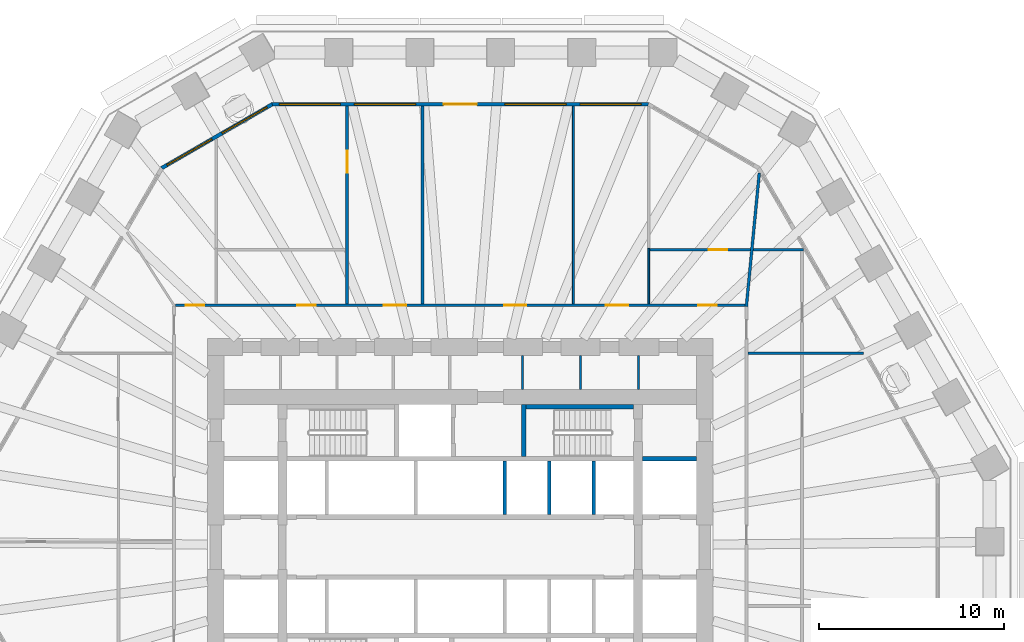
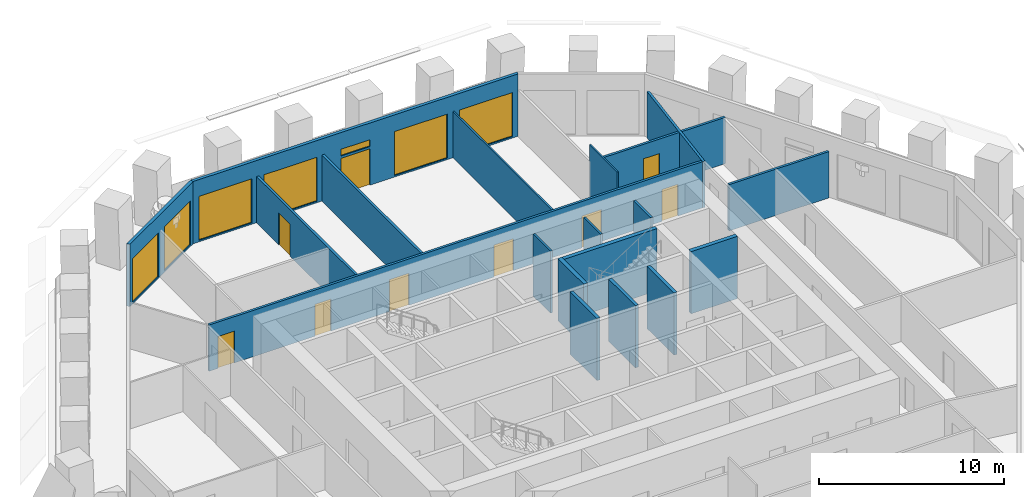
# One storey, part 8 of 13: 19 walls, 9 doors, 7 windows, 16 openings.
"""IFC4 building model written with IfcOpenShell, lengths in metres."""

from ifc_helpers import new_model, si_unit, direction, frame, frame_2d, origin, place, context, subcontext, project, spatial, polyline, rectangle, outline, extrude, material, layer, layer_set, type_object, element, fill, save


model = new_model("IFC4")

# Units and contexts
model_context = context("Model", 3, precision=1e-05, world=origin(), true_north=direction((0.0, 1.0)))
body_context = subcontext(model_context, "Body", "Model", "MODEL_VIEW")
ifc_project = project(units=[si_unit("LENGTHUNIT", "METRE"), si_unit("AREAUNIT", "SQUARE_METRE"), si_unit("VOLUMEUNIT", "CUBIC_METRE"), si_unit("PLANEANGLEUNIT", "RADIAN"), si_unit("MASSUNIT", "GRAM", prefix="KILO")], contexts=[model_context])

# Site, building, storey
site_placement = place(None, origin())
site = spatial("IfcSite", under=ifc_project, at=site_placement, CompositionType="ELEMENT")
building_placement = place(site_placement, origin())
building = spatial("IfcBuilding", under=site, at=building_placement, Name="Frailejon Research Tower", CompositionType="ELEMENT")
storey_placement = place(building_placement, frame((0.0, 0.0, 23.39990234375)))
storey = spatial("IfcBuildingStorey", under=building, at=storey_placement, Name="L05", CompositionType="ELEMENT", Elevation=23.39990234375)

# Walls
ifc_material_1 = material(Name="Plasterboard on steel studs", Category="steel")
ifc_layer_1 = layer(ifc_material_1, 0.125)
ifc_layer_set_1 = layer_set([ifc_layer_1], Name="Core partition 125")
wall_type_1 = type_object("IfcWallType", Name="Core partition 125", PredefinedType="PARTITIONING", material=ifc_layer_set_1)
for number, where, z_axis, x_axis, name in (
    (1, (3.362548828125, 8.5, 0.0), (0.0, 0.0, 1.0), (0.0, 1.0, 0.0), "Core partition"),
    (2, (6.49169921875, 8.5, 0.0), (0.0, 0.0, 1.0), (0.0, 1.0, 0.0), "Core partition"),
    (3, (9.620849609375, 8.5, 0.0), (0.0, 0.0, 1.0), (0.0, 1.0, 0.0), "Core partition"),
):
    element("IfcWall", number, at=place(storey_placement, frame(where, z_axis=z_axis, x_axis=x_axis)), inside=storey, type_object=wall_type_1, Name=name, PredefinedType="PARTITIONING", context=body_context, shape_type="SweptSolid", body=[
        extrude(rectangle(XDim=1.85009765625, YDim=0.125, at=frame_2d((0.925048828125, 0.0))), origin(), (0.0, 0.0, 1.0), 4.10009765625),
    ])

# Wall, openings, doors
ifc_material_2 = material(Name="Gypsum board and masonry partition", Category="masonry")
ifc_layer_2 = layer(ifc_material_2, 0.14990234375)
ifc_layer_set_2 = layer_set([ifc_layer_2], Name="Corridor wall EI 60, gypsum on steel studs 150")
wall_type_2 = type_object("IfcWallType", Name="Corridor wall EI 60, gypsum on steel studs 150", PredefinedType="PARTITIONING", material=ifc_layer_set_2)
wall_1_placement = place(storey_placement, frame((-15.375, 13.050048828125, 0.0), z_axis=(0.0, 0.0, 1.0), x_axis=(1.0, 0.0, 0.0)))
wall_1 = element("IfcWall", 4, at=wall_1_placement, inside=storey, type_object=wall_type_2, Name="T:IW:L05:002", PredefinedType="PARTITIONING", context=body_context, shape_type="SweptSolid", body=[
    extrude(rectangle(XDim=30.75, YDim=0.14990234375, at=frame_2d((15.375, 0.0))), origin(), (0.0, 0.0, 1.0), 3.050048828125),
])
opening_1_placement = place(wall_1_placement, frame((28.22412109375, 0.0, 0.0)))
opening_1 = element("IfcOpeningElement", 5, at=opening_1_placement, cuts=wall_1, Name="Opening D1271", PredefinedType="OPENING", context=body_context, shape_type="SweptSolid", body=[
    extrude(rectangle(XDim=1.0, YDim=2.10009765625, at=frame_2d((0.5, 1.050048828125))), frame((0.0, 0.0849609375, 0.0), z_axis=(0.0, -1.0, 0.0), x_axis=(1.0, 0.0, 0.0)), (0.0, 0.0, 1.0), 0.169921875),
])
opening_2_placement = place(wall_1_placement, frame((23.2412109375, 0.0, 0.0)))
opening_2 = element("IfcOpeningElement", 6, at=opening_2_placement, cuts=wall_1, Name="Opening D1273", PredefinedType="OPENING", context=body_context, shape_type="SweptSolid", body=[
    extrude(rectangle(XDim=1.199951171875, YDim=2.10009765625, at=frame_2d((0.60009765625, 1.050048828125))), frame((0.0, 0.0849609375, 0.0), z_axis=(0.0, -1.0, 0.0), x_axis=(1.0, 0.0, 0.0)), (0.0, 0.0, 1.0), 0.169921875),
])
opening_3_placement = place(wall_1_placement, frame((17.74609375, 0.0, 0.0)))
opening_3 = element("IfcOpeningElement", 7, at=opening_3_placement, cuts=wall_1, Name="Opening D1274", PredefinedType="OPENING", context=body_context, shape_type="SweptSolid", body=[
    extrude(rectangle(XDim=1.199951171875, YDim=2.10009765625, at=frame_2d((0.60009765625, 1.050048828125))), frame((0.0, 0.0849609375, 0.0), z_axis=(0.0, -1.0, 0.0), x_axis=(1.0, 0.0, 0.0)), (0.0, 0.0, 1.0), 0.169921875),
])
opening_4_placement = place(wall_1_placement, frame((11.247314453125, 0.0, 0.0)))
opening_4 = element("IfcOpeningElement", 8, at=opening_4_placement, cuts=wall_1, Name="Opening D1275", PredefinedType="OPENING", context=body_context, shape_type="SweptSolid", body=[
    extrude(rectangle(XDim=1.199951171875, YDim=2.10009765625, at=frame_2d((0.60009765625, 1.050048828125))), frame((0.0, 0.0849609375, 0.0), z_axis=(0.0, -1.0, 0.0), x_axis=(1.0, 0.0, 0.0)), (0.0, 0.0, 1.0), 0.169921875),
])
opening_5_placement = place(wall_1_placement, frame((6.576904296875, 0.0, 0.0)))
opening_5 = element("IfcOpeningElement", 9, at=opening_5_placement, cuts=wall_1, Name="Opening D1277", PredefinedType="OPENING", context=body_context, shape_type="SweptSolid", body=[
    extrude(rectangle(XDim=1.0, YDim=2.10009765625, at=frame_2d((0.5, 1.050048828125))), frame((0.0, 0.0849609375, 0.0), z_axis=(0.0, -1.0, 0.0), x_axis=(1.0, 0.0, 0.0)), (0.0, 0.0, 1.0), 0.169921875),
])
opening_6_placement = place(wall_1_placement, frame((0.56201171875, 0.0, 0.0)))
opening_6 = element("IfcOpeningElement", 10, at=opening_6_placement, cuts=wall_1, Name="Opening D1278", PredefinedType="OPENING", context=body_context, shape_type="SweptSolid", body=[
    extrude(rectangle(XDim=1.0, YDim=2.10009765625, at=frame_2d((0.5, 1.050048828125))), frame((0.0, 0.0849609375, 0.0), z_axis=(0.0, -1.0, 0.0), x_axis=(1.0, 0.0, 0.0)), (0.0, 0.0, 1.0), 0.169921875),
])
ifc_material_3 = material(Name="Timber door leaf", Category="wood")
door_type_1 = type_object("IfcDoorType", Name="Door laboratory, timber, vision panel 1200", OperationType="NOTDEFINED", PredefinedType="DOOR", material=ifc_material_3)
door_1_placement = place(opening_4_placement, origin())
door_1 = element("IfcDoor", 11, at=door_1_placement, inside=storey, type_object=door_type_1, Name="D1275", OperationType="DOUBLE_DOOR_SINGLE_SWING", OverallHeight=2.10009765625, OverallWidth=1.199951171875, PredefinedType="DOOR", context=body_context, shape_type="SweptSolid", body=[
    extrude(rectangle(XDim=1.199951171875, YDim=2.10009765625, at=frame_2d((0.60009765625, 1.050048828125))), frame((0.0, 0.02490234375, 0.0), z_axis=(0.0, -1.0, 0.0), x_axis=(1.0, 0.0, 0.0)), (0.0, 0.0, 1.0), 0.050048828125),
])
fill(opening_4, door_1)
ifc_material_4 = material(Name="Timber door leaf", Category="wood")
door_type_2 = type_object("IfcDoorType", Name="Door single leaf, timber, steel frame 1000", OperationType="NOTDEFINED", PredefinedType="DOOR", material=ifc_material_4)
door_2_placement = place(opening_1_placement, origin())
door_2 = element("IfcDoor", 12, at=door_2_placement, inside=storey, type_object=door_type_2, Name="D1271", OperationType="SINGLE_SWING_RIGHT", OverallHeight=2.10009765625, OverallWidth=1.0, PredefinedType="DOOR", context=body_context, shape_type="SweptSolid", body=[
    extrude(rectangle(XDim=1.0, YDim=2.10009765625, at=frame_2d((0.5, 1.050048828125))), frame((0.0, 0.02490234375, 0.0), z_axis=(0.0, -1.0, 0.0), x_axis=(1.0, 0.0, 0.0)), (0.0, 0.0, 1.0), 0.050048828125),
])
fill(opening_1, door_2)
door_3_placement = place(opening_5_placement, origin())
door_3 = element("IfcDoor", 13, at=door_3_placement, inside=storey, type_object=door_type_2, Name="D1277", OperationType="SINGLE_SWING_RIGHT", OverallHeight=2.10009765625, OverallWidth=1.0, PredefinedType="DOOR", context=body_context, shape_type="SweptSolid", body=[
    extrude(rectangle(XDim=1.0, YDim=2.10009765625, at=frame_2d((0.5, 1.050048828125))), frame((0.0, 0.02490234375, 0.0), z_axis=(0.0, -1.0, 0.0), x_axis=(1.0, 0.0, 0.0)), (0.0, 0.0, 1.0), 0.050048828125),
])
fill(opening_5, door_3)
door_4_placement = place(opening_6_placement, origin())
door_4 = element("IfcDoor", 14, at=door_4_placement, inside=storey, type_object=door_type_2, Name="D1278", OperationType="SINGLE_SWING_LEFT", OverallHeight=2.10009765625, OverallWidth=1.0, PredefinedType="DOOR", context=body_context, shape_type="SweptSolid", body=[
    extrude(rectangle(XDim=1.0, YDim=2.10009765625, at=frame_2d((0.5, 1.050048828125))), frame((0.0, 0.02490234375, 0.0), z_axis=(0.0, -1.0, 0.0), x_axis=(1.0, 0.0, 0.0)), (0.0, 0.0, 1.0), 0.050048828125),
])
fill(opening_6, door_4)
ifc_material_5 = material(Name="Timber door leaf", Category="wood")
door_type_3 = type_object("IfcDoorType", Name="Door single leaf, timber, steel frame 1200", OperationType="NOTDEFINED", PredefinedType="DOOR", material=ifc_material_5)
door_5_placement = place(opening_2_placement, origin())
door_5 = element("IfcDoor", 15, at=door_5_placement, inside=storey, type_object=door_type_3, Name="D1273", OperationType="DOUBLE_DOOR_SINGLE_SWING", OverallHeight=2.10009765625, OverallWidth=1.199951171875, PredefinedType="DOOR", context=body_context, shape_type="SweptSolid", body=[
    extrude(rectangle(XDim=1.199951171875, YDim=2.10009765625, at=frame_2d((0.60009765625, 1.050048828125))), frame((0.0, 0.02490234375, 0.0), z_axis=(0.0, -1.0, 0.0), x_axis=(1.0, 0.0, 0.0)), (0.0, 0.0, 1.0), 0.050048828125),
])
fill(opening_2, door_5)
door_6_placement = place(opening_3_placement, origin())
door_6 = element("IfcDoor", 16, at=door_6_placement, inside=storey, type_object=door_type_3, Name="D1274", OperationType="DOUBLE_DOOR_SINGLE_SWING", OverallHeight=2.10009765625, OverallWidth=1.199951171875, PredefinedType="DOOR", context=body_context, shape_type="SweptSolid", body=[
    extrude(rectangle(XDim=1.199951171875, YDim=2.10009765625, at=frame_2d((0.60009765625, 1.050048828125))), frame((0.0, 0.02490234375, 0.0), z_axis=(0.0, -1.0, 0.0), x_axis=(1.0, 0.0, 0.0)), (0.0, 0.0, 1.0), 0.050048828125),
])
fill(opening_3, door_6)

# Wall
ifc_material_6 = material(Name="Gypsum board and masonry partition", Category="masonry")
ifc_layer_3 = layer(ifc_material_6, 0.14990234375)
ifc_layer_set_3 = layer_set([ifc_layer_3], Name="Laboratory partition, blockwork 150")
wall_type_3 = type_object("IfcWallType", Name="Laboratory partition, blockwork 150", PredefinedType="PARTITIONING", material=ifc_layer_set_3)
wall_2_placement = place(storey_placement, frame((15.52490234375, 10.458740234375, 0.0), z_axis=(0.0, 0.0, 1.0), x_axis=(1.0, 0.0, 0.0)))
element("IfcWall", 17, at=wall_2_placement, inside=storey, type_object=wall_type_3, Name="T:IW:L05:006", PredefinedType="PARTITIONING", context=body_context, shape_type="SweptSolid", body=[
    extrude(rectangle(XDim=6.23779296875, YDim=0.14990234375, at=frame_2d((3.118896484375, 0.0))), origin(), (0.0, 0.0, 1.0), 3.050048828125),
])

# Wall, opening, door
wall_3_placement = place(storey_placement, frame((10.250732421875, 16.050048828125, 0.0), z_axis=(0.0, 0.0, 1.0), x_axis=(1.0, 0.0, 0.0)))
wall_3 = element("IfcWall", 18, at=wall_3_placement, inside=storey, type_object=wall_type_3, Name="T:IW:L05:009", PredefinedType="PARTITIONING", context=body_context, shape_type="SweptSolid", body=[
    extrude(rectangle(XDim=8.274169921875, YDim=0.14990234375, at=frame_2d((4.13720703125, 0.0))), origin(), (0.0, 0.0, 1.0), 3.050048828125),
])
opening_7_placement = place(wall_3_placement, frame((3.173828125, 0.0, 0.0)))
opening_7 = element("IfcOpeningElement", 19, at=opening_7_placement, cuts=wall_3, Name="Opening D1272", PredefinedType="OPENING", context=body_context, shape_type="SweptSolid", body=[
    extrude(rectangle(XDim=1.0, YDim=2.10009765625, at=frame_2d((0.5, 1.050048828125))), frame((0.0, 0.0849609375, 0.0), z_axis=(0.0, -1.0, 0.0), x_axis=(1.0, 0.0, 0.0)), (0.0, 0.0, 1.0), 0.169921875),
])
ifc_material_7 = material(Name="Timber door leaf", Category="wood")
door_type_4 = type_object("IfcDoorType", Name="Door laboratory, timber, vision panel 1000", OperationType="NOTDEFINED", PredefinedType="DOOR", material=ifc_material_7)
door_7_placement = place(opening_7_placement, origin())
door_7 = element("IfcDoor", 20, at=door_7_placement, inside=storey, type_object=door_type_4, Name="D1272", OperationType="SINGLE_SWING_RIGHT", OverallHeight=2.10009765625, OverallWidth=1.0, PredefinedType="DOOR", context=body_context, shape_type="SweptSolid", body=[
    extrude(rectangle(XDim=1.0, YDim=2.10009765625, at=frame_2d((0.5, 1.050048828125))), frame((0.0, 0.02490234375, 0.0), z_axis=(0.0, -1.0, 0.0), x_axis=(1.0, 0.0, 0.0)), (0.0, 0.0, 1.0), 0.050048828125),
])
fill(opening_7, door_7)

# Walls
wall_4_placement = place(storey_placement, frame((15.44287109375, 12.975341796875, 0.0), z_axis=(0.0, 0.0, 1.0), x_axis=(0.096486657892, 0.995334277943, 0.0)))
element("IfcWall", 21, at=wall_4_placement, inside=storey, type_object=wall_type_3, Name="T:IW:L05:010", PredefinedType="PARTITIONING", context=body_context, shape_type="SweptSolid", body=[
    extrude(rectangle(XDim=7.251953125, YDim=0.14990234375, at=frame_2d((3.6259765625, 0.0))), origin(), (0.0, 0.0, 1.0), 3.050048828125),
])
wall_5_placement = place(storey_placement, frame((-2.03515625, 13.125, 0.0), z_axis=(0.0, 0.0, 1.0), x_axis=(0.0, 1.0, 0.0)))
element("IfcWall", 22, at=wall_5_placement, inside=storey, type_object=wall_type_3, Name="T:IW:L05:012", PredefinedType="PARTITIONING", context=body_context, shape_type="SweptSolid", body=[
    extrude(rectangle(XDim=10.675048828125, YDim=0.14990234375, at=frame_2d((5.33740234375, 0.0))), origin(), (0.0, 0.0, 1.0), 3.050048828125),
])

# Wall, opening, door
wall_6_placement = place(storey_placement, frame((-6.10546875, 13.125, 0.0), z_axis=(0.0, 0.0, 1.0), x_axis=(0.0, 1.0, 0.0)))
wall_6 = element("IfcWall", 23, at=wall_6_placement, inside=storey, type_object=wall_type_3, Name="T:IW:L05:013", PredefinedType="PARTITIONING", context=body_context, shape_type="SweptSolid", body=[
    extrude(rectangle(XDim=10.675048828125, YDim=0.14990234375, at=frame_2d((5.33740234375, 0.0))), origin(), (0.0, 0.0, 1.0), 3.050048828125),
])
opening_8_placement = place(wall_6_placement, frame((7.077392578125, 0.0, 0.0)))
opening_8 = element("IfcOpeningElement", 24, at=opening_8_placement, cuts=wall_6, Name="Opening D1276", PredefinedType="OPENING", context=body_context, shape_type="SweptSolid", body=[
    extrude(rectangle(XDim=1.199951171875, YDim=2.10009765625, at=frame_2d((0.60009765625, 1.050048828125))), frame((0.0, 0.0849609375, 0.0), z_axis=(0.0, -1.0, 0.0), x_axis=(1.0, 0.0, 0.0)), (0.0, 0.0, 1.0), 0.169921875),
])
door_8_placement = place(opening_8_placement, origin())
door_8 = element("IfcDoor", 25, at=door_8_placement, inside=storey, type_object=door_type_1, Name="D1276", OperationType="DOUBLE_DOOR_SINGLE_SWING", OverallHeight=2.10009765625, OverallWidth=1.199951171875, PredefinedType="DOOR", context=body_context, shape_type="SweptSolid", body=[
    extrude(rectangle(XDim=1.199951171875, YDim=2.10009765625, at=frame_2d((0.60009765625, 1.050048828125))), frame((0.0, 0.02490234375, 0.0), z_axis=(0.0, -1.0, 0.0), x_axis=(1.0, 0.0, 0.0)), (0.0, 0.0, 1.0), 0.050048828125),
])
fill(opening_8, door_8)

# Walls
ifc_material_8 = material(Name="Gypsum board and masonry partition", Category="masonry")
ifc_layer_4 = layer(ifc_material_8, 0.10009765625)
ifc_layer_set_4 = layer_set([ifc_layer_4], Name="Partition, gypsum on steel studs 100")
wall_type_4 = type_object("IfcWallType", Name="Partition, gypsum on steel studs 100", PredefinedType="PARTITIONING", material=ifc_layer_set_4)
wall_7_placement = place(storey_placement, frame((10.17578125, 13.125, 0.0), z_axis=(0.0, 0.0, 1.0), x_axis=(0.0, 1.0, 0.0)))
element("IfcWall", 26, at=wall_7_placement, inside=storey, type_object=wall_type_4, Name="T:IW:L05:025", PredefinedType="PARTITIONING", context=body_context, shape_type="SweptSolid", body=[
    extrude(rectangle(XDim=3.0, YDim=0.10009765625, at=frame_2d((1.5, 0.0))), origin(), (0.0, 0.0, 1.0), 4.10009765625),
])
wall_8_placement = place(storey_placement, frame((6.10546875, 13.125, 0.0), z_axis=(0.0, 0.0, 1.0), x_axis=(0.0, 1.0, 0.0)))
element("IfcWall", 27, at=wall_8_placement, inside=storey, type_object=wall_type_4, Name="T:IW:L05:026", PredefinedType="PARTITIONING", context=body_context, shape_type="SweptSolid", body=[
    extrude(rectangle(XDim=10.675048828125, YDim=0.10009765625, at=frame_2d((5.33740234375, 0.0))), origin(), (0.0, 0.0, 1.0), 3.050048828125),
])
ifc_material_9 = material(Name="Concrete C70/85", Category="concrete")
ifc_layer_5 = layer(ifc_material_9, 0.199951171875)
ifc_layer_set_5 = layer_set([ifc_layer_5], Name="Shaft wall 200 C70/85")
wall_type_5 = type_object("IfcWallType", Name="Shaft wall 200 C70/85", PredefinedType="SOLIDWALL", material=ifc_layer_set_5)
for number, where, z_axis, x_axis, name in (
    (28, (2.39990234375, 1.75, 0.0), (0.0, 0.0, 1.0), (0.0, 1.0, 0.0), "Shaft wall"),
    (29, (4.800048828125, 1.75, 0.0), (0.0, 0.0, 1.0), (0.0, 1.0, 0.0), "Shaft wall"),
    (30, (7.199951171875, 1.75, 0.0), (0.0, 0.0, 1.0), (0.0, 1.0, 0.0), "Shaft wall"),
):
    element("IfcWall", number, at=place(storey_placement, frame(where, z_axis=z_axis, x_axis=x_axis)), inside=storey, type_object=wall_type_5, Name=name, PredefinedType="SOLIDWALL", context=body_context, shape_type="SweptSolid", body=[
        extrude(rectangle(XDim=2.89990234375, YDim=0.199951171875, at=frame_2d((1.449951171875, 0.0))), origin(), (0.0, 0.0, 1.0), 4.10009765625),
    ])
ifc_material_10 = material(Name="Concrete C70/85", Category="concrete")
ifc_layer_6 = layer(ifc_material_10, 0.25)
ifc_layer_set_6 = layer_set([ifc_layer_6], Name="Shaft wall 250 C70/85")
wall_type_6 = type_object("IfcWallType", Name="Shaft wall 250 C70/85", PredefinedType="SOLIDWALL", material=ifc_layer_set_6)
wall_9_placement = place(storey_placement, frame((9.85009765625, 4.77490234375, 0.0), z_axis=(0.0, 0.0, 1.0), x_axis=(1.0, 0.0, 0.0)))
element("IfcWall", 31, at=wall_9_placement, inside=storey, type_object=wall_type_6, Name="Shaft wall", PredefinedType="SOLIDWALL", context=body_context, shape_type="SweptSolid", body=[
    extrude(rectangle(XDim=2.89990234375, YDim=0.25, at=frame_2d((1.449951171875, 0.0))), origin(), (0.0, 0.0, 1.0), 4.10009765625),
])
wall_10_placement = place(storey_placement, frame((3.550048828125, 7.574951171875, 0.0), z_axis=(0.0, 0.0, 1.0), x_axis=(1.0, 0.0, 0.0)))
element("IfcWall", 32, at=wall_10_placement, inside=storey, type_object=wall_type_6, Name="Shaft wall", PredefinedType="SOLIDWALL", context=body_context, shape_type="SweptSolid", body=[
    extrude(rectangle(XDim=5.800048828125, YDim=0.25, at=frame_2d((2.89990234375, 0.0))), origin(), (0.0, 0.0, 1.0), 4.10009765625),
])
wall_11_placement = place(storey_placement, frame((3.425048828125, 4.89990234375, 0.0), z_axis=(0.0, 0.0, 1.0), x_axis=(0.0, 1.0, 0.0)))
element("IfcWall", 33, at=wall_11_placement, inside=storey, type_object=wall_type_6, Name="Shaft wall", PredefinedType="SOLIDWALL", context=body_context, shape_type="SweptSolid", body=[
    extrude(rectangle(XDim=2.800048828125, YDim=0.25, at=frame_2d((1.39990234375, 0.0))), origin(), (0.0, 0.0, 1.0), 4.10009765625),
])

# Wall, openings, door, windows
ifc_material_11 = material(Name="Concrete C40/50 precast window wall panel", Category="concrete")
ifc_layer_7 = layer(ifc_material_11, 0.199951171875)
ifc_layer_set_7 = layer_set([ifc_layer_7], Name="Window wall 200")
wall_type_7 = type_object("IfcWallType", Name="Window wall 200", PredefinedType="SOLIDWALL", material=ifc_layer_set_7)
wall_12_placement = place(storey_placement, frame((10.14892578125, 23.89990234375, 0.0), z_axis=(0.0, 0.0, 1.0), x_axis=(-1.0, 0.0, 0.0)))
wall_12 = element("IfcWall", 34, at=wall_12_placement, inside=storey, type_object=wall_type_7, Name="Exterior wall L05", PredefinedType="SOLIDWALL", context=body_context, shape_type="SweptSolid", body=[
    extrude(outline(polyline([(-0.02685546875, -0.10009765625), (0.99072265625, -0.10009765625), (2.00830078125, -0.10009765625), (3.02587890625, -0.10009765625), (4.04345703125, -0.10009765625), (5.06103515625, -0.10009765625), (6.07861328125, -0.10009765625), (7.09619140625, -0.10009765625), (8.11376953125, -0.10009765625), (9.13134765625, -0.10009765625), (10.14892578125, -0.10009765625), (11.16650390625, -0.10009765625), (12.18408203125, -0.10009765625), (13.20166015625, -0.10009765625), (14.21923828125, -0.10009765625), (15.23681640625, -0.10009765625), (16.25439453125, -0.10009765625), (17.27197265625, -0.10009765625), (18.28955078125, -0.10009765625), (19.30712890625, -0.10009765625), (20.32470703125, -0.10009765625), (20.27099609375, 0.10009765625), (19.2587890625, 0.10009765625), (18.24658203125, 0.10009765625), (17.234375, 0.10009765625), (16.22216796875, 0.10009765625), (15.2099609375, 0.10009765625), (14.19775390625, 0.10009765625), (13.185546875, 0.10009765625), (12.17333984375, 0.10009765625), (11.1611328125, 0.10009765625), (10.14892578125, 0.10009765625), (9.13671875, 0.10009765625), (8.12451171875, 0.10009765625), (7.1123046875, 0.10009765625), (6.10009765625, 0.10009765625), (5.087890625, 0.10009765625), (4.07568359375, 0.10009765625), (3.0634765625, 0.10009765625), (2.05126953125, 0.10009765625), (1.0390625, 0.10009765625), (0.02685546875, 0.10009765625), (-0.02685546875, -0.10009765625)])), origin(), (0.0, 0.0, 1.0), 4.10009765625),
])
opening_9_placement = place(wall_12_placement, frame((0.3798828125, 0.0, 0.10009765625)))
opening_9 = element("IfcOpeningElement", 35, at=opening_9_placement, cuts=wall_12, Name="Opening W5", PredefinedType="OPENING", context=body_context, shape_type="SweptSolid", body=[
    extrude(rectangle(XDim=3.300048828125, YDim=2.89990234375, at=frame_2d((1.64990234375, 1.449951171875))), frame((0.0, 0.10986328125, 0.0), z_axis=(0.0, -1.0, 0.0), x_axis=(1.0, 0.0, 0.0)), (0.0, 0.0, 1.0), 0.219970703125),
])
opening_10_placement = place(wall_12_placement, frame((4.439453125, 0.0, 0.10009765625)))
opening_10 = element("IfcOpeningElement", 36, at=opening_10_placement, cuts=wall_12, Name="Opening W5", PredefinedType="OPENING", context=body_context, shape_type="SweptSolid", body=[
    extrude(rectangle(XDim=3.300048828125, YDim=2.89990234375, at=frame_2d((1.64990234375, 1.449951171875))), frame((0.0, 0.10986328125, 0.0), z_axis=(0.0, -1.0, 0.0), x_axis=(1.0, 0.0, 0.0)), (0.0, 0.0, 1.0), 0.219970703125),
])
opening_11_placement = place(wall_12_placement, frame((9.248779296875, 0.0, 0.0)))
opening_11 = element("IfcOpeningElement", 37, at=opening_11_placement, cuts=wall_12, Name="Opening LG05-2", PredefinedType="OPENING", context=body_context, shape_type="SweptSolid", body=[
    extrude(rectangle(XDim=1.800048828125, YDim=2.39990234375, at=frame_2d((0.89990234375, 1.199951171875))), frame((0.0, 0.10986328125, 0.0), z_axis=(0.0, -1.0, 0.0), x_axis=(1.0, 0.0, 0.0)), (0.0, 0.0, 1.0), 0.219970703125),
])
opening_12_placement = place(wall_12_placement, frame((9.248779296875, 0.0, 2.550048828125)))
opening_12 = element("IfcOpeningElement", 38, at=opening_12_placement, cuts=wall_12, Name="Opening W1", PredefinedType="OPENING", context=body_context, shape_type="SweptSolid", body=[
    extrude(rectangle(XDim=1.800048828125, YDim=0.449951171875, at=frame_2d((0.89990234375, 0.22509765625))), frame((0.0, 0.10986328125, 0.0), z_axis=(0.0, -1.0, 0.0), x_axis=(1.0, 0.0, 0.0)), (0.0, 0.0, 1.0), 0.219970703125),
])
opening_13_placement = place(wall_12_placement, frame((12.55859375, 0.0, 0.10009765625)))
opening_13 = element("IfcOpeningElement", 39, at=opening_13_placement, cuts=wall_12, Name="Opening W5", PredefinedType="OPENING", context=body_context, shape_type="SweptSolid", body=[
    extrude(rectangle(XDim=3.300048828125, YDim=2.89990234375, at=frame_2d((1.64990234375, 1.449951171875))), frame((0.0, 0.10986328125, 0.0), z_axis=(0.0, -1.0, 0.0), x_axis=(1.0, 0.0, 0.0)), (0.0, 0.0, 1.0), 0.219970703125),
])
opening_14_placement = place(wall_12_placement, frame((16.6181640625, 0.0, 0.10009765625)))
opening_14 = element("IfcOpeningElement", 40, at=opening_14_placement, cuts=wall_12, Name="Opening W5", PredefinedType="OPENING", context=body_context, shape_type="SweptSolid", body=[
    extrude(rectangle(XDim=3.300048828125, YDim=2.89990234375, at=frame_2d((1.64990234375, 1.449951171875))), frame((0.0, 0.10986328125, 0.0), z_axis=(0.0, -1.0, 0.0), x_axis=(1.0, 0.0, 0.0)), (0.0, 0.0, 1.0), 0.219970703125),
])
ifc_material_12 = material(Name="Aluminium framed glazed door leaf", Category="aluminium")
door_type_5 = type_object("IfcDoorType", Name="Loggia door 1800x2400", OperationType="DOUBLE_DOOR_SINGLE_SWING", PredefinedType="DOOR", material=ifc_material_12)
door_9_placement = place(opening_11_placement, origin())
door_9 = element("IfcDoor", 41, at=door_9_placement, inside=storey, type_object=door_type_5, Name="Door LG05-2", OperationType="DOUBLE_DOOR_SINGLE_SWING", OverallHeight=2.39990234375, OverallWidth=1.800048828125, PredefinedType="DOOR", context=body_context, shape_type="SweptSolid", body=[
    extrude(rectangle(XDim=1.800048828125, YDim=2.39990234375, at=frame_2d((0.89990234375, 1.199951171875))), frame((0.0, 0.02490234375, 0.0), z_axis=(0.0, -1.0, 0.0), x_axis=(1.0, 0.0, 0.0)), (0.0, 0.0, 1.0), 0.050048828125),
])
fill(opening_11, door_9)
ifc_material_13 = material(Name="Aluminium framed double glazing", Category="aluminium")
window_type_1 = type_object("IfcWindowType", Name="Window 1800x450", PartitioningType="SINGLE_PANEL", PredefinedType="WINDOW", material=ifc_material_13)
window_1_placement = place(opening_12_placement, origin())
window_1 = element("IfcWindow", 42, at=window_1_placement, inside=storey, type_object=window_type_1, Name="Window L05", OverallHeight=0.449951171875, OverallWidth=1.800048828125, PartitioningType="SINGLE_PANEL", PredefinedType="WINDOW", context=body_context, shape_type="SweptSolid", body=[
    extrude(rectangle(XDim=1.800048828125, YDim=0.449951171875, at=frame_2d((0.89990234375, 0.22509765625))), frame((0.0, 0.030029296875, 0.0), z_axis=(0.0, -1.0, 0.0), x_axis=(1.0, 0.0, 0.0)), (0.0, 0.0, 1.0), 0.06005859375),
])
fill(opening_12, window_1)
ifc_material_14 = material(Name="Aluminium framed double glazing", Category="aluminium")
window_type_2 = type_object("IfcWindowType", Name="Window 3300x2900", PartitioningType="SINGLE_PANEL", PredefinedType="WINDOW", material=ifc_material_14)
window_2_placement = place(opening_9_placement, origin())
window_2 = element("IfcWindow", 43, at=window_2_placement, inside=storey, type_object=window_type_2, Name="Window L05", OverallHeight=2.89990234375, OverallWidth=3.300048828125, PartitioningType="SINGLE_PANEL", PredefinedType="WINDOW", context=body_context, shape_type="SweptSolid", body=[
    extrude(rectangle(XDim=3.300048828125, YDim=2.89990234375, at=frame_2d((1.64990234375, 1.449951171875))), frame((0.0, 0.030029296875, 0.0), z_axis=(0.0, -1.0, 0.0), x_axis=(1.0, 0.0, 0.0)), (0.0, 0.0, 1.0), 0.06005859375),
])
fill(opening_9, window_2)
window_3_placement = place(opening_10_placement, origin())
window_3 = element("IfcWindow", 44, at=window_3_placement, inside=storey, type_object=window_type_2, Name="Window L05", OverallHeight=2.89990234375, OverallWidth=3.300048828125, PartitioningType="SINGLE_PANEL", PredefinedType="WINDOW", context=body_context, shape_type="SweptSolid", body=[
    extrude(rectangle(XDim=3.300048828125, YDim=2.89990234375, at=frame_2d((1.64990234375, 1.449951171875))), frame((0.0, 0.030029296875, 0.0), z_axis=(0.0, -1.0, 0.0), x_axis=(1.0, 0.0, 0.0)), (0.0, 0.0, 1.0), 0.06005859375),
])
fill(opening_10, window_3)
window_4_placement = place(opening_13_placement, origin())
window_4 = element("IfcWindow", 45, at=window_4_placement, inside=storey, type_object=window_type_2, Name="Window L05", OverallHeight=2.89990234375, OverallWidth=3.300048828125, PartitioningType="SINGLE_PANEL", PredefinedType="WINDOW", context=body_context, shape_type="SweptSolid", body=[
    extrude(rectangle(XDim=3.300048828125, YDim=2.89990234375, at=frame_2d((1.64990234375, 1.449951171875))), frame((0.0, 0.030029296875, 0.0), z_axis=(0.0, -1.0, 0.0), x_axis=(1.0, 0.0, 0.0)), (0.0, 0.0, 1.0), 0.06005859375),
])
fill(opening_13, window_4)
window_5_placement = place(opening_14_placement, origin())
window_5 = element("IfcWindow", 46, at=window_5_placement, inside=storey, type_object=window_type_2, Name="Window L05", OverallHeight=2.89990234375, OverallWidth=3.300048828125, PartitioningType="SINGLE_PANEL", PredefinedType="WINDOW", context=body_context, shape_type="SweptSolid", body=[
    extrude(rectangle(XDim=3.300048828125, YDim=2.89990234375, at=frame_2d((1.64990234375, 1.449951171875))), frame((0.0, 0.030029296875, 0.0), z_axis=(0.0, -1.0, 0.0), x_axis=(1.0, 0.0, 0.0)), (0.0, 0.0, 1.0), 0.06005859375),
])
fill(opening_14, window_5)

# Wall, openings, windows
wall_13_placement = place(storey_placement, frame((-10.14892578125, 23.89990234375, 0.0), z_axis=(0.0, 0.0, 1.0), x_axis=(-0.866029458321, -0.49999297727, 0.0)))
wall_13 = element("IfcWall", 47, at=wall_13_placement, inside=storey, type_object=wall_type_7, Name="Exterior wall L05", PredefinedType="SOLIDWALL", context=body_context, shape_type="SweptSolid", body=[
    extrude(outline(polyline([(-0.02685546875, -0.10009765625), (1.1279296875, -0.10009765625), (2.282470703125, -0.10009765625), (3.437255859375, -0.10009765625), (4.592041015625, -0.10009765625), (5.74658203125, -0.10009765625), (6.9013671875, -0.10009765625), (6.84765625, 0.10009765625), (5.7109375, 0.10009765625), (4.573974609375, 0.10009765625), (3.437255859375, 0.10009765625), (2.300537109375, 0.10009765625), (1.16357421875, 0.10009765625), (0.02685546875, 0.10009765625), (-0.02685546875, -0.10009765625)])), origin(), (0.0, 0.0, 1.0), 4.10009765625),
])
opening_15_placement = place(wall_13_placement, frame((0.318603515625, 0.0, 0.10009765625)))
opening_15 = element("IfcOpeningElement", 48, at=opening_15_placement, cuts=wall_13, Name="Opening W3", PredefinedType="OPENING", context=body_context, shape_type="SweptSolid", body=[
    extrude(rectangle(XDim=2.800048828125, YDim=2.89990234375, at=frame_2d((1.39990234375, 1.449951171875))), frame((0.0, 0.10986328125, 0.0), z_axis=(0.0, -1.0, 0.0), x_axis=(1.0, 0.0, 0.0)), (0.0, 0.0, 1.0), 0.219970703125),
])
opening_16_placement = place(wall_13_placement, frame((3.756103515625, 0.0, 0.10009765625)))
opening_16 = element("IfcOpeningElement", 49, at=opening_16_placement, cuts=wall_13, Name="Opening W3", PredefinedType="OPENING", context=body_context, shape_type="SweptSolid", body=[
    extrude(rectangle(XDim=2.800048828125, YDim=2.89990234375, at=frame_2d((1.39990234375, 1.449951171875))), frame((0.0, 0.10986328125, 0.0), z_axis=(0.0, -1.0, 0.0), x_axis=(1.0, 0.0, 0.0)), (0.0, 0.0, 1.0), 0.219970703125),
])
ifc_material_15 = material(Name="Aluminium framed double glazing", Category="aluminium")
window_type_3 = type_object("IfcWindowType", Name="Window 2800x2900", PartitioningType="SINGLE_PANEL", PredefinedType="WINDOW", material=ifc_material_15)
window_6_placement = place(opening_15_placement, origin())
window_6 = element("IfcWindow", 50, at=window_6_placement, inside=storey, type_object=window_type_3, Name="Window L05", OverallHeight=2.89990234375, OverallWidth=2.800048828125, PartitioningType="SINGLE_PANEL", PredefinedType="WINDOW", context=body_context, shape_type="SweptSolid", body=[
    extrude(rectangle(XDim=2.800048828125, YDim=2.89990234375, at=frame_2d((1.39990234375, 1.449951171875))), frame((0.0, 0.030029296875, 0.0), z_axis=(0.0, -1.0, 0.0), x_axis=(1.0, 0.0, 0.0)), (0.0, 0.0, 1.0), 0.06005859375),
])
fill(opening_15, window_6)
window_7_placement = place(opening_16_placement, origin())
window_7 = element("IfcWindow", 51, at=window_7_placement, inside=storey, type_object=window_type_3, Name="Window L05", OverallHeight=2.89990234375, OverallWidth=2.800048828125, PartitioningType="SINGLE_PANEL", PredefinedType="WINDOW", context=body_context, shape_type="SweptSolid", body=[
    extrude(rectangle(XDim=2.800048828125, YDim=2.89990234375, at=frame_2d((1.39990234375, 1.449951171875))), frame((0.0, 0.030029296875, 0.0), z_axis=(0.0, -1.0, 0.0), x_axis=(1.0, 0.0, 0.0)), (0.0, 0.0, 1.0), 0.06005859375),
])
fill(opening_16, window_7)

save(model, "model.ifc")
